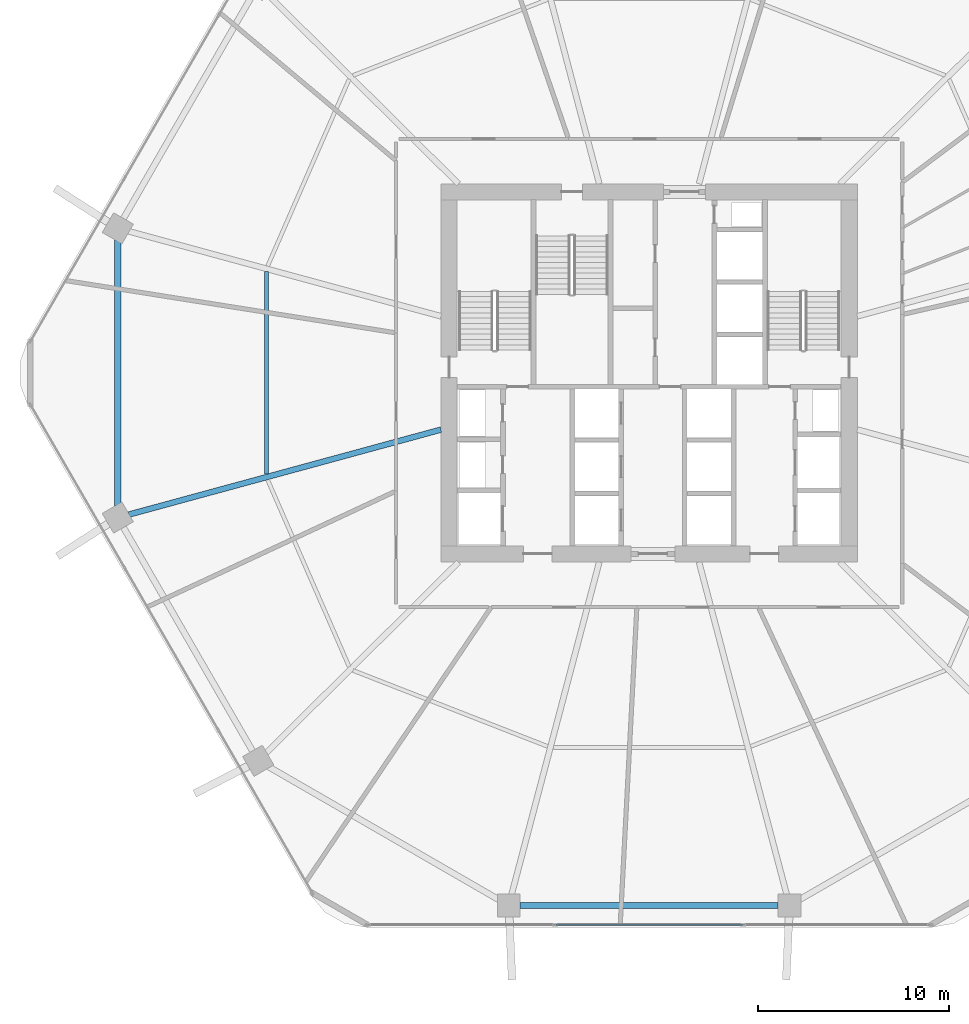
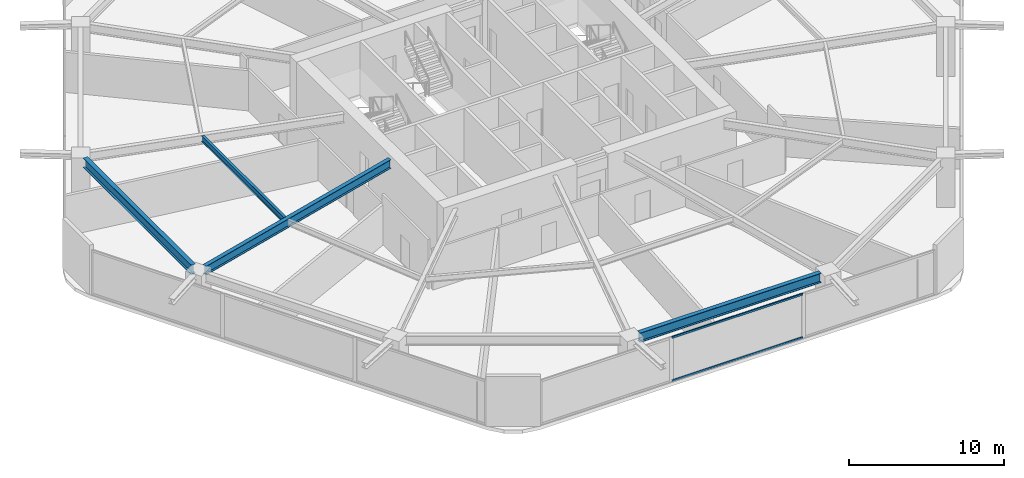
# One storey, part 6 of 25: 4 beams, 2 members, 1 element without a shape of its own.
"""IFC4 building model written with IfcOpenShell, lengths in metres."""

from ifc_helpers import new_model, si_unit, direction, frame, origin, origin_2d, place, context, subcontext, project, spatial, hollow_rectangle, i_section, extrude, material, material_profile, profile_set, type_object, element, aggregate, save


model = new_model("IFC4")

# Units and contexts
model_context = context("Model", 3, precision=1e-05, world=origin(), true_north=direction((0.0, 1.0)))
body_context = subcontext(model_context, "Body", "Model", "MODEL_VIEW")
ifc_project = project(units=[si_unit("LENGTHUNIT", "METRE"), si_unit("AREAUNIT", "SQUARE_METRE"), si_unit("VOLUMEUNIT", "CUBIC_METRE"), si_unit("PLANEANGLEUNIT", "RADIAN"), si_unit("MASSUNIT", "GRAM", prefix="KILO")], contexts=[model_context])

# Site, building, storey
site_placement = place(None, origin())
site = spatial("IfcSite", under=ifc_project, at=site_placement, CompositionType="ELEMENT")
building_placement = place(site_placement, origin())
building = spatial("IfcBuilding", under=site, at=building_placement, Name="Zuhravey Tower", CompositionType="ELEMENT")
storey_placement = place(building_placement, frame((0.0, 0.0, 45.60009765625)))
storey = spatial("IfcBuildingStorey", under=building, at=storey_placement, Name="L11", CompositionType="ELEMENT", Elevation=45.60009765625)

# Curtain wall, members
ifc_material_1 = material(Name="Thermally broken anodised aluminium", Category="aluminium")
curtain_wall_type = type_object("IfcCurtainWallType", Name="School Low-E Unitised Curtain Wall CW1", PredefinedType="NOTDEFINED", material=ifc_material_1)
curtain_wall_placement = place(storey_placement, origin())
curtain_wall = element("IfcCurtainWall", 1, at=curtain_wall_placement, inside=storey, type_object=curtain_wall_type, Name="L11 CW1 CW-L11-F5-1", PredefinedType="NOTDEFINED")
ifc_material_2 = material(Name="Anodised aluminium", Category="aluminium")
ifc_material_profile_1 = material_profile(ifc_material_2, hollow_rectangle(XDim=0.090087890625, YDim=0.14990234375, WallThickness=0.0048828125, at=origin_2d()), Name="ALU-RHS-90x150x5")
ifc_profile_set_1 = profile_set([ifc_material_profile_1], Name="Anodised aluminium")
member_type = type_object("IfcMemberType", Name="Curtain-Wall Transom 90x150", PredefinedType="USERDEFINED", material=ifc_profile_set_1)
member_1_placement = place(storey_placement, frame((40.88818359375, 3.04150390625, 0.044921875), z_axis=(-1.0, 0.0, 0.0), x_axis=(0.0, -1.0, 0.0)))
member_1 = element("IfcMember", 2, at=member_1_placement, type_object=member_type, Name="CW1 transom 2.1", ObjectType="TRANSOM", PredefinedType="USERDEFINED", context=body_context, shape_type="SweptSolid", body=[
    extrude(hollow_rectangle(XDim=0.090087890625, YDim=0.14990234375, WallThickness=0.0048828125, at=origin_2d()), origin(), (0.0, 0.0, 1.0), 9.7763671875),
])
member_2_placement = place(storey_placement, frame((40.88818359375, 3.04150390625, 3.447021484375), z_axis=(-1.0, 0.0, 0.0), x_axis=(0.0, -1.0, 0.0)))
member_2 = element("IfcMember", 3, at=member_2_placement, type_object=member_type, Name="CW1 transom 2.2", ObjectType="TRANSOM", PredefinedType="USERDEFINED", context=body_context, shape_type="SweptSolid", body=[
    extrude(hollow_rectangle(XDim=0.090087890625, YDim=0.14990234375, WallThickness=0.0048828125, at=origin_2d()), origin(), (0.0, 0.0, 1.0), 9.7763671875),
])
aggregate(curtain_wall, [member_1, member_2])

# Beams
ifc_material_3 = material(Name="Steel SM355", Category="steel")
ifc_material_profile_2 = material_profile(ifc_material_3, i_section(OverallWidth=0.320068359375, OverallDepth=0.75, WebThickness=0.013916015625, FlangeThickness=0.02490234375, at=origin_2d()), Name="H-750x320x14x25")
ifc_profile_set_2 = profile_set([ifc_material_profile_2], Name="Steel SM355")
beam_type_1 = type_object("IfcBeamType", Name="Perimeter Ring Beam H750x320", PredefinedType="BEAM", material=ifc_profile_set_2)
beam_1_placement = place(storey_placement, frame((8.11083984375, 38.988525390625, 3.544921875), z_axis=(0.0, -1.0, 0.0), x_axis=(1.0, 0.0, 0.0)))
element("IfcBeam", 4, at=beam_1_placement, inside=storey, type_object=beam_type_1, Name="L11 PB1 BM-L11-PB-06", PredefinedType="BEAM", context=body_context, shape_type="SweptSolid", body=[
    extrude(i_section(OverallWidth=0.320068359375, OverallDepth=0.75, WebThickness=0.013916015625, FlangeThickness=0.02490234375, at=origin_2d()), origin(), (0.0, 0.0, 1.0), 13.97705078125),
])
beam_2_placement = place(storey_placement, frame((29.23291015625, 4.051513671875, 3.544921875), z_axis=(1.0, 0.0, 0.0), x_axis=(0.0, 1.0, 0.0)))
element("IfcBeam", 5, at=beam_2_placement, inside=storey, type_object=beam_type_1, Name="L11 PB1 BM-L11-PB-09", PredefinedType="BEAM", context=body_context, shape_type="SweptSolid", body=[
    extrude(i_section(OverallWidth=0.320068359375, OverallDepth=0.75, WebThickness=0.013916015625, FlangeThickness=0.02490234375, at=origin_2d()), origin(), (0.0, 0.0, 1.0), 13.5341796875),
])
ifc_material_profile_3 = material_profile(ifc_material_3, i_section(OverallWidth=0.300048828125, OverallDepth=0.699951171875, WebThickness=0.012939453125, FlangeThickness=0.02392578125, at=origin_2d()), Name="H-700x300x13x24")
ifc_profile_set_3 = profile_set([ifc_material_profile_3], Name="Steel SM355")
beam_type_2 = type_object("IfcBeamType", Name="Radial Primary Girder H700x300", PredefinedType="BEAM", material=ifc_profile_set_3)
beam_3_placement = place(storey_placement, frame((25.072021484375, 29.025390625, 3.56982421875), z_axis=(-0.964892480455, -0.26264520015, 0.0), x_axis=(0.26264520015, -0.964892480455, 0.0)))
element("IfcBeam", 6, at=beam_3_placement, inside=storey, type_object=beam_type_2, Name="L11 RG1 BM-L11-RAD-07", PredefinedType="BEAM", context=body_context, shape_type="SweptSolid", body=[
    extrude(i_section(OverallWidth=0.300048828125, OverallDepth=0.699951171875, WebThickness=0.012939453125, FlangeThickness=0.02392578125, at=origin_2d()), origin(), (0.0, 0.0, 1.0), 16.975341796875),
])
ifc_material_profile_4 = material_profile(ifc_material_3, i_section(OverallWidth=0.199951171875, OverallDepth=0.449951171875, WebThickness=0.009033203125, FlangeThickness=0.013916015625, at=origin_2d()), Name="H-450x200x9x14")
ifc_profile_set_4 = profile_set([ifc_material_profile_4], Name="Steel SM355")
beam_type_3 = type_object("IfcBeamType", Name="Secondary Floor Joist H450x200", PredefinedType="JOIST", material=ifc_profile_set_4)
beam_4_placement = place(storey_placement, frame((15.9130859375, 37.313720703125, 3.69482421875), z_axis=(0.0, -1.0, 0.0), x_axis=(1.0, 0.0, 0.0)))
element("IfcBeam", 7, at=beam_4_placement, inside=storey, type_object=beam_type_3, Name="L11 SJ1 BM-L11-SJ-06-1", PredefinedType="JOIST", context=body_context, shape_type="SweptSolid", body=[
    extrude(i_section(OverallWidth=0.199951171875, OverallDepth=0.449951171875, WebThickness=0.009033203125, FlangeThickness=0.013916015625, at=origin_2d()), origin(), (0.0, 0.0, 1.0), 10.62744140625),
])

save(model, "model.ifc")
